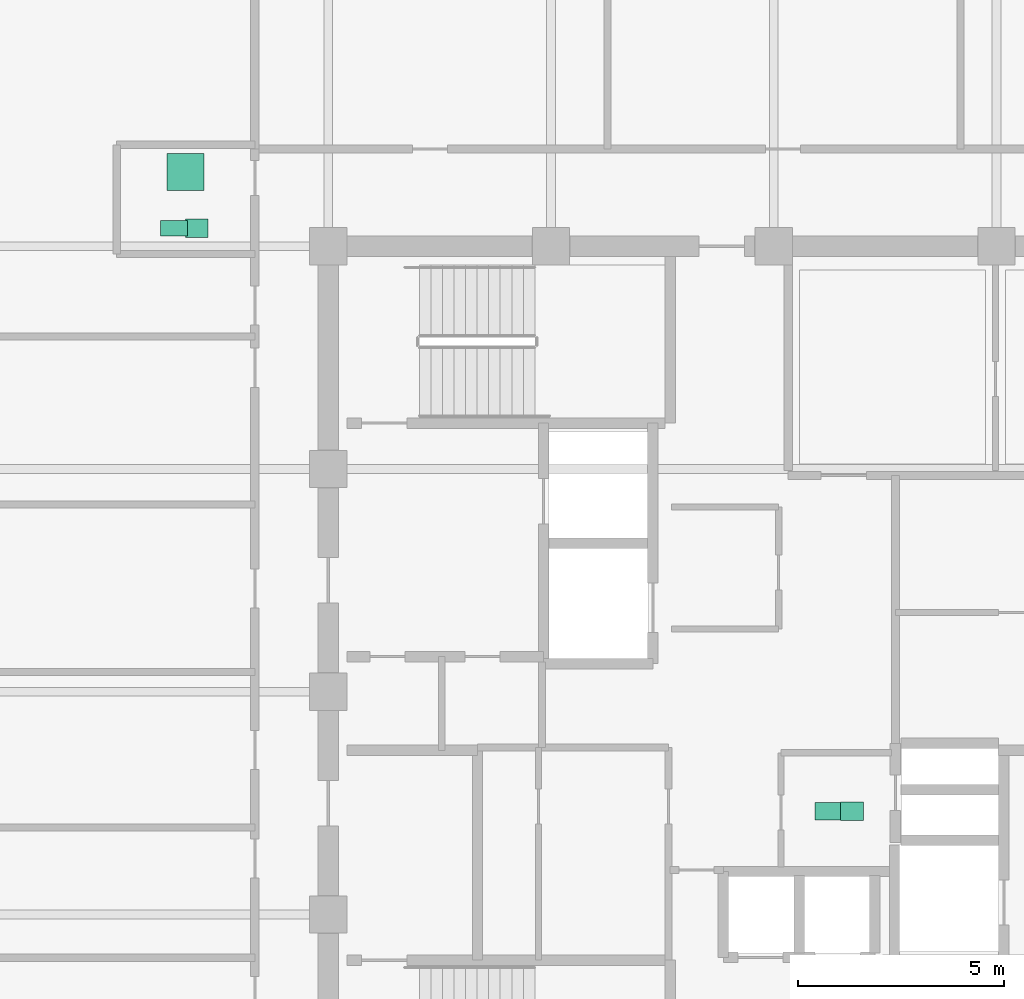
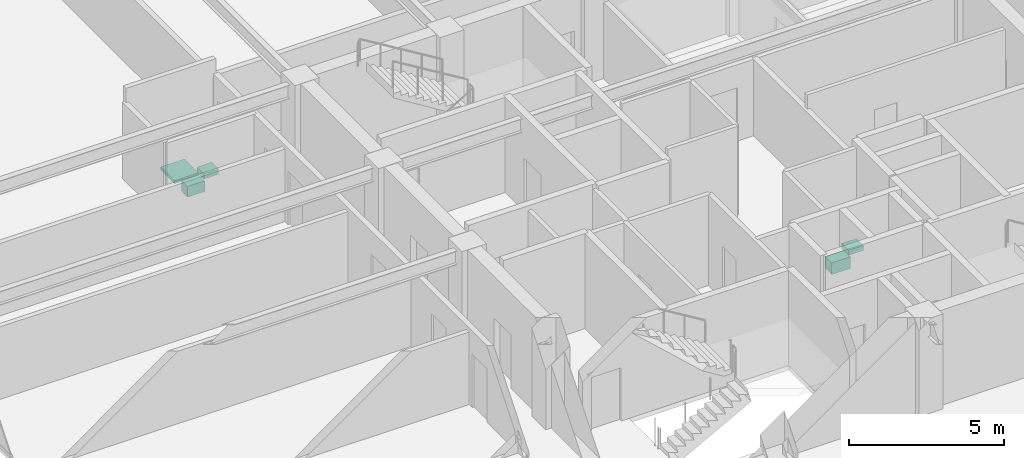
# One storey, part 31 of 31: 5 sanitary terminals.
"""IFC4 building model written with IfcOpenShell, lengths in metres."""

from ifc_helpers import new_model, si_unit, direction, frame, origin, origin_2d, place, context, subcontext, project, spatial, rectangle, extrude, material, type_object, element, save


model = new_model("IFC4")

# Units and contexts
model_context = context("Model", 3, precision=1e-05, world=origin(), true_north=direction((0.0, 1.0)))
body_context = subcontext(model_context, "Body", "Model", "MODEL_VIEW")
ifc_project = project(units=[si_unit("LENGTHUNIT", "METRE"), si_unit("AREAUNIT", "SQUARE_METRE"), si_unit("VOLUMEUNIT", "CUBIC_METRE"), si_unit("PLANEANGLEUNIT", "RADIAN"), si_unit("MASSUNIT", "GRAM", prefix="KILO")], contexts=[model_context])

# Site, building, storey
site_placement = place(None, origin())
site = spatial("IfcSite", under=ifc_project, at=site_placement, CompositionType="ELEMENT")
building_placement = place(site_placement, origin())
building = spatial("IfcBuilding", under=site, at=building_placement, Name="Surkhivell Harbour Commons", CompositionType="ELEMENT")
storey_placement = place(building_placement, frame((0.0, 0.0, 266.25)))
storey = spatial("IfcBuildingStorey", under=building, at=storey_placement, Name="L69", CompositionType="ELEMENT", Elevation=266.25)

# Sanitary terminals
ifc_material_1 = material(Name="Vitreous china washbasin", Category="other")
sanitary_terminal_type_1 = type_object("IfcSanitaryTerminalType", Name="SAN-BSN", PredefinedType="WASHHANDBASIN", material=ifc_material_1)
for number, where, z_axis, x_axis, name in (
    (1, (1.89990234375, -2.89990234375, 0.72021484375), (0.0, 0.0, 1.0), (1.0, 0.0, 0.0), "L69 Core Accessible WC Washbasin"),
    (2, (-13.989990234375, 11.239990234375, 0.72021484375), (0.0, 0.0, 1.0), (1.0, 0.0, 0.0), "L69 West Communal Bathroom WC Washbasin"),
):
    element("IfcSanitaryTerminal", number, at=place(storey_placement, frame(where, z_axis=z_axis, x_axis=x_axis)), inside=storey, type_object=sanitary_terminal_type_1, Name=name, PredefinedType="WASHHANDBASIN", context=body_context, shape_type="SweptSolid", body=[
        extrude(rectangle(XDim=0.550048828125, YDim=0.449951171875, at=origin_2d()), origin(), (0.0, 0.0, 1.0), 0.199951171875),
    ])
ifc_material_2 = material(Name="Glazed porcelain shower tray", Category="other")
sanitary_terminal_type_2 = type_object("IfcSanitaryTerminalType", Name="SAN-SHW", PredefinedType="SHOWER", material=ifc_material_2)
sanitary_terminal_1_placement = place(storey_placement, frame((-14.260009765625, 12.60009765625, 0.0), z_axis=(0.0, 0.0, 1.0), x_axis=(1.0, 0.0, 0.0)))
element("IfcSanitaryTerminal", 3, at=sanitary_terminal_1_placement, inside=storey, type_object=sanitary_terminal_type_2, Name="L69 West Communal Shower Tray", PredefinedType="SHOWER", context=body_context, shape_type="SweptSolid", body=[
    extrude(rectangle(XDim=0.89990234375, YDim=0.89990234375, at=origin_2d()), origin(), (0.0, 0.0, 1.0), 0.1201171875),
])
ifc_material_3 = material(Name="Vitreous china sanitaryware", Category="other")
sanitary_terminal_type_3 = type_object("IfcSanitaryTerminalType", Name="SAN-WC-ACC", PredefinedType="TOILETPAN", material=ifc_material_3)
sanitary_terminal_2_placement = place(storey_placement, frame((1.35009765625, -2.89990234375, 0.169921875), z_axis=(0.0, 0.0, 1.0), x_axis=(1.0, 0.0, 0.0)))
element("IfcSanitaryTerminal", 4, at=sanitary_terminal_2_placement, inside=storey, type_object=sanitary_terminal_type_3, Name="L69 Core Accessible WC", PredefinedType="TOILETPAN", context=body_context, shape_type="SweptSolid", body=[
    extrude(rectangle(XDim=0.699951171875, YDim=0.419921875, at=origin_2d()), origin(), (0.0, 0.0, 1.0), 0.4599609375),
])
sanitary_terminal_type_4 = type_object("IfcSanitaryTerminalType", Name="SAN-WC-STD", PredefinedType="TOILETPAN", material=ifc_material_3)
sanitary_terminal_3_placement = place(storey_placement, frame((-14.5400390625, 11.239990234375, 0.18994140625), z_axis=(0.0, 0.0, 1.0), x_axis=(1.0, 0.0, 0.0)))
element("IfcSanitaryTerminal", 5, at=sanitary_terminal_3_placement, inside=storey, type_object=sanitary_terminal_type_4, Name="L69 West Communal Bathroom WC", PredefinedType="TOILETPAN", context=body_context, shape_type="SweptSolid", body=[
    extrude(rectangle(XDim=0.64990234375, YDim=0.3798828125, at=origin_2d()), origin(), (0.0, 0.0, 1.0), 0.419921875),
])

save(model, "model.ifc")
